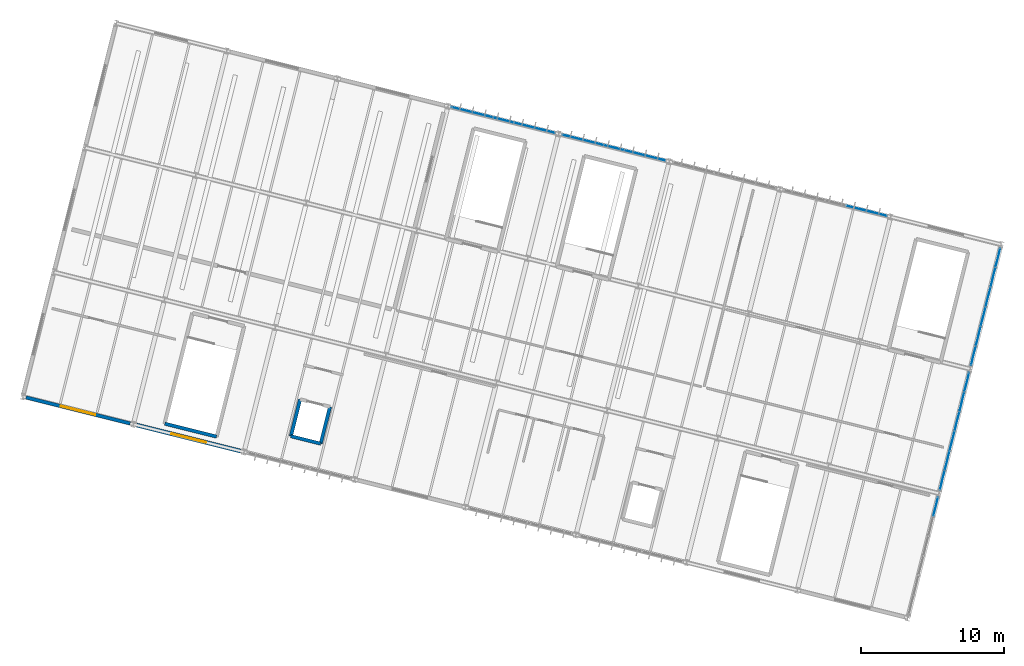
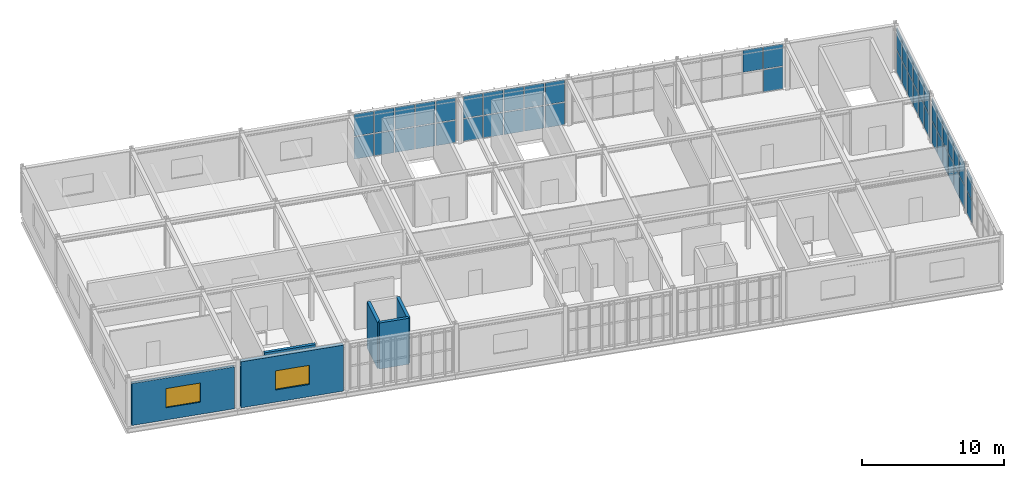
# One storey, part 22 of 30: 49 plates, 6 walls, 2 windows, 2 openings, 6 elements without a shape of their own.
"""IFC4 building model written with IfcOpenShell, lengths in metres."""

from ifc_helpers import new_model, si_unit, derived_unit, direction, frame, frame_2d, origin, origin_2d, place, context, subcontext, project, spatial, rectangle, extrude, material, layer, layer_set, type_object, element, fill, aggregate, save


model = new_model("IFC4")

# Units and contexts
model_context = context("Model", 3, precision=1e-05, world=origin(), true_north=direction((0.0, 1.0)))
body_context = subcontext(model_context, "Body", "Model", "MODEL_VIEW")
ifc_project = project(units=[si_unit("LENGTHUNIT", "METRE"), si_unit("AREAUNIT", "SQUARE_METRE"), si_unit("VOLUMEUNIT", "CUBIC_METRE"), si_unit("PLANEANGLEUNIT", "RADIAN"), si_unit("MASSUNIT", "GRAM", prefix="KILO"), si_unit("THERMODYNAMICTEMPERATUREUNIT", "KELVIN"), si_unit("TIMEUNIT", "SECOND"), derived_unit("THERMALTRANSMITTANCEUNIT", [(si_unit("MASSUNIT", "GRAM", prefix="KILO"), 1), (si_unit("THERMODYNAMICTEMPERATUREUNIT", "KELVIN"), -1), (si_unit("TIMEUNIT", "SECOND"), -3)])], contexts=[model_context])

# Site, building, storey
site_placement = place(None, origin())
site = spatial("IfcSite", under=ifc_project, at=site_placement, CompositionType="ELEMENT")
building_placement = place(site_placement, origin())
building = spatial("IfcBuilding", under=site, at=building_placement, Name="Cambertide Market Hall", CompositionType="ELEMENT")
storey_placement = place(building_placement, frame((0.0, 0.0, 14.10009765625)))
storey = spatial("IfcBuildingStorey", under=building, at=storey_placement, Name="L04", CompositionType="ELEMENT", Elevation=14.10009765625)

# Curtain wall, plates
ifc_material_1 = material(Name="Marine Anodized Aluminium 6063-T6 AA25", Category="aluminium")
curtain_wall_type_1 = type_object("IfcCurtainWallType", Name="Herb Conservatory Crown Curtain Wall", PredefinedType="USERDEFINED", material=ifc_material_1)
curtain_wall_1_placement = place(storey_placement, origin())
curtain_wall_1 = element("IfcCurtainWall", 1, at=curtain_wall_1_placement, inside=storey, type_object=curtain_wall_type_1, Name="Level 4 Curtain Wall CW-V4N-L04-4", ObjectType="UNITIZED CURTAIN WALL", PredefinedType="USERDEFINED")
ifc_material_2 = material(Name="Low-E Laminated Insulated Glass", Category="glass")
ifc_layer_1 = layer(ifc_material_2, 0.028076171875, Name="Vision Insulated Glazing Panel 28")
ifc_layer_set_1 = layer_set([ifc_layer_1], Name="Low-E Laminated Insulated Glass")
plate_type = type_object("IfcPlateType", Name="Vision Insulated Glazing Panel 28", PredefinedType="CURTAIN_PANEL", material=ifc_layer_set_1)
plate_1_placement = place(storey_placement, frame((138.794189453125, 120.13232421875, 0.0400390625), z_axis=(0.0, 0.0, 1.0), x_axis=(0.970142500145, -0.242535625038, 0.0)))
plate_1 = element("IfcPlate", 2, at=plate_1_placement, type_object=plate_type, Name="CW-V4N-L04-4 Glazing Panel 1-1", PredefinedType="CURTAIN_PANEL", context=body_context, shape_type="SweptSolid", body=[
    extrude(rectangle(XDim=1.424072265625, YDim=0.028076171875, at=origin_2d()), origin(), (0.0, 0.0, 1.0), 1.89990234375),
])
plate_2_placement = place(storey_placement, frame((140.25341796875, 119.767578125, 0.0400390625), z_axis=(0.0, 0.0, 1.0), x_axis=(0.970142500145, -0.242535625038, 0.0)))
plate_2 = element("IfcPlate", 3, at=plate_2_placement, type_object=plate_type, Name="CW-V4N-L04-4 Glazing Panel 1-2", PredefinedType="CURTAIN_PANEL", context=body_context, shape_type="SweptSolid", body=[
    extrude(rectangle(XDim=1.424072265625, YDim=0.028076171875, at=origin_2d()), origin(), (0.0, 0.0, 1.0), 1.89990234375),
])
plate_3_placement = place(storey_placement, frame((141.71240234375, 119.40283203125, 0.0400390625), z_axis=(0.0, 0.0, 1.0), x_axis=(0.970142500145, -0.242535625038, 0.0)))
plate_3 = element("IfcPlate", 4, at=plate_3_placement, type_object=plate_type, Name="CW-V4N-L04-4 Glazing Panel 1-3", PredefinedType="CURTAIN_PANEL", context=body_context, shape_type="SweptSolid", body=[
    extrude(rectangle(XDim=1.424072265625, YDim=0.028076171875, at=origin_2d()), origin(), (0.0, 0.0, 1.0), 1.89990234375),
])
plate_4_placement = place(storey_placement, frame((143.171630859375, 119.0380859375, 0.0400390625), z_axis=(0.0, 0.0, 1.0), x_axis=(0.970142500145, -0.242535625038, 0.0)))
plate_4 = element("IfcPlate", 5, at=plate_4_placement, type_object=plate_type, Name="CW-V4N-L04-4 Glazing Panel 1-4", PredefinedType="CURTAIN_PANEL", context=body_context, shape_type="SweptSolid", body=[
    extrude(rectangle(XDim=1.424072265625, YDim=0.028076171875, at=origin_2d()), origin(), (0.0, 0.0, 1.0), 1.89990234375),
])
plate_5_placement = place(storey_placement, frame((144.630615234375, 118.67333984375, 0.0400390625), z_axis=(0.0, 0.0, 1.0), x_axis=(0.970142500145, -0.242535625038, 0.0)))
plate_5 = element("IfcPlate", 6, at=plate_5_placement, type_object=plate_type, Name="CW-V4N-L04-4 Glazing Panel 1-5", PredefinedType="CURTAIN_PANEL", context=body_context, shape_type="SweptSolid", body=[
    extrude(rectangle(XDim=1.424072265625, YDim=0.028076171875, at=origin_2d()), origin(), (0.0, 0.0, 1.0), 1.89990234375),
])
plate_6_placement = place(storey_placement, frame((138.794189453125, 120.13232421875, 2.02001953125), z_axis=(0.0, 0.0, 1.0), x_axis=(0.970142500145, -0.242535625038, 0.0)))
plate_6 = element("IfcPlate", 7, at=plate_6_placement, type_object=plate_type, Name="CW-V4N-L04-4 Glazing Panel 2-1", PredefinedType="CURTAIN_PANEL", context=body_context, shape_type="SweptSolid", body=[
    extrude(rectangle(XDim=1.424072265625, YDim=0.028076171875, at=origin_2d()), origin(), (0.0, 0.0, 1.0), 1.89990234375),
])
plate_7_placement = place(storey_placement, frame((140.25341796875, 119.767578125, 2.02001953125), z_axis=(0.0, 0.0, 1.0), x_axis=(0.970142500145, -0.242535625038, 0.0)))
plate_7 = element("IfcPlate", 8, at=plate_7_placement, type_object=plate_type, Name="CW-V4N-L04-4 Glazing Panel 2-2", PredefinedType="CURTAIN_PANEL", context=body_context, shape_type="SweptSolid", body=[
    extrude(rectangle(XDim=1.424072265625, YDim=0.028076171875, at=origin_2d()), origin(), (0.0, 0.0, 1.0), 1.89990234375),
])
plate_8_placement = place(storey_placement, frame((141.71240234375, 119.40283203125, 2.02001953125), z_axis=(0.0, 0.0, 1.0), x_axis=(0.970142500145, -0.242535625038, 0.0)))
plate_8 = element("IfcPlate", 9, at=plate_8_placement, type_object=plate_type, Name="CW-V4N-L04-4 Glazing Panel 2-3", PredefinedType="CURTAIN_PANEL", context=body_context, shape_type="SweptSolid", body=[
    extrude(rectangle(XDim=1.424072265625, YDim=0.028076171875, at=origin_2d()), origin(), (0.0, 0.0, 1.0), 1.89990234375),
])
plate_9_placement = place(storey_placement, frame((143.171630859375, 119.0380859375, 2.02001953125), z_axis=(0.0, 0.0, 1.0), x_axis=(0.970142500145, -0.242535625038, 0.0)))
plate_9 = element("IfcPlate", 10, at=plate_9_placement, type_object=plate_type, Name="CW-V4N-L04-4 Glazing Panel 2-4", PredefinedType="CURTAIN_PANEL", context=body_context, shape_type="SweptSolid", body=[
    extrude(rectangle(XDim=1.424072265625, YDim=0.028076171875, at=origin_2d()), origin(), (0.0, 0.0, 1.0), 1.89990234375),
])
plate_10_placement = place(storey_placement, frame((144.630615234375, 118.67333984375, 2.02001953125), z_axis=(0.0, 0.0, 1.0), x_axis=(0.970142500145, -0.242535625038, 0.0)))
plate_10 = element("IfcPlate", 11, at=plate_10_placement, type_object=plate_type, Name="CW-V4N-L04-4 Glazing Panel 2-5", PredefinedType="CURTAIN_PANEL", context=body_context, shape_type="SweptSolid", body=[
    extrude(rectangle(XDim=1.424072265625, YDim=0.028076171875, at=origin_2d()), origin(), (0.0, 0.0, 1.0), 1.89990234375),
])
aggregate(curtain_wall_1, [plate_1, plate_2, plate_3, plate_4, plate_5, plate_6, plate_7, plate_8, plate_9, plate_10])

curtain_wall_2_placement = place(storey_placement, origin())
curtain_wall_2 = element("IfcCurtainWall", 12, at=curtain_wall_2_placement, inside=storey, type_object=curtain_wall_type_1, Name="Level 4 Curtain Wall CW-V4N-L04-5", ObjectType="UNITIZED CURTAIN WALL", PredefinedType="USERDEFINED")
plate_11_placement = place(storey_placement, frame((146.555419921875, 118.192138671875, 0.0400390625), z_axis=(0.0, 0.0, 1.0), x_axis=(0.970142500145, -0.242535625038, 0.0)))
plate_11 = element("IfcPlate", 13, at=plate_11_placement, type_object=plate_type, Name="CW-V4N-L04-5 Glazing Panel 1-1", PredefinedType="CURTAIN_PANEL", context=body_context, shape_type="SweptSolid", body=[
    extrude(rectangle(XDim=1.424072265625, YDim=0.028076171875, at=origin_2d()), origin(), (0.0, 0.0, 1.0), 1.89990234375),
])
plate_12_placement = place(storey_placement, frame((148.014404296875, 117.827392578125, 0.0400390625), z_axis=(0.0, 0.0, 1.0), x_axis=(0.970142500145, -0.242535625038, 0.0)))
plate_12 = element("IfcPlate", 14, at=plate_12_placement, type_object=plate_type, Name="CW-V4N-L04-5 Glazing Panel 1-2", PredefinedType="CURTAIN_PANEL", context=body_context, shape_type="SweptSolid", body=[
    extrude(rectangle(XDim=1.424072265625, YDim=0.028076171875, at=origin_2d()), origin(), (0.0, 0.0, 1.0), 1.89990234375),
])
plate_13_placement = place(storey_placement, frame((149.4736328125, 117.462646484375, 0.0400390625), z_axis=(0.0, 0.0, 1.0), x_axis=(0.970142500145, -0.242535625038, 0.0)))
plate_13 = element("IfcPlate", 15, at=plate_13_placement, type_object=plate_type, Name="CW-V4N-L04-5 Glazing Panel 1-3", PredefinedType="CURTAIN_PANEL", context=body_context, shape_type="SweptSolid", body=[
    extrude(rectangle(XDim=1.424072265625, YDim=0.028076171875, at=origin_2d()), origin(), (0.0, 0.0, 1.0), 1.89990234375),
])
plate_14_placement = place(storey_placement, frame((150.9326171875, 117.097900390625, 0.0400390625), z_axis=(0.0, 0.0, 1.0), x_axis=(0.970142500145, -0.242535625038, 0.0)))
plate_14 = element("IfcPlate", 16, at=plate_14_placement, type_object=plate_type, Name="CW-V4N-L04-5 Glazing Panel 1-4", PredefinedType="CURTAIN_PANEL", context=body_context, shape_type="SweptSolid", body=[
    extrude(rectangle(XDim=1.424072265625, YDim=0.028076171875, at=origin_2d()), origin(), (0.0, 0.0, 1.0), 1.89990234375),
])
plate_15_placement = place(storey_placement, frame((152.391845703125, 116.73291015625, 0.0400390625), z_axis=(0.0, 0.0, 1.0), x_axis=(0.970142500145, -0.242535625038, 0.0)))
plate_15 = element("IfcPlate", 17, at=plate_15_placement, type_object=plate_type, Name="CW-V4N-L04-5 Glazing Panel 1-5", PredefinedType="CURTAIN_PANEL", context=body_context, shape_type="SweptSolid", body=[
    extrude(rectangle(XDim=1.424072265625, YDim=0.028076171875, at=origin_2d()), origin(), (0.0, 0.0, 1.0), 1.89990234375),
])
plate_16_placement = place(storey_placement, frame((146.555419921875, 118.192138671875, 2.02001953125), z_axis=(0.0, 0.0, 1.0), x_axis=(0.970142500145, -0.242535625038, 0.0)))
plate_16 = element("IfcPlate", 18, at=plate_16_placement, type_object=plate_type, Name="CW-V4N-L04-5 Glazing Panel 2-1", PredefinedType="CURTAIN_PANEL", context=body_context, shape_type="SweptSolid", body=[
    extrude(rectangle(XDim=1.424072265625, YDim=0.028076171875, at=origin_2d()), origin(), (0.0, 0.0, 1.0), 1.89990234375),
])
plate_17_placement = place(storey_placement, frame((148.014404296875, 117.827392578125, 2.02001953125), z_axis=(0.0, 0.0, 1.0), x_axis=(0.970142500145, -0.242535625038, 0.0)))
plate_17 = element("IfcPlate", 19, at=plate_17_placement, type_object=plate_type, Name="CW-V4N-L04-5 Glazing Panel 2-2", PredefinedType="CURTAIN_PANEL", context=body_context, shape_type="SweptSolid", body=[
    extrude(rectangle(XDim=1.424072265625, YDim=0.028076171875, at=origin_2d()), origin(), (0.0, 0.0, 1.0), 1.89990234375),
])
plate_18_placement = place(storey_placement, frame((149.4736328125, 117.462646484375, 2.02001953125), z_axis=(0.0, 0.0, 1.0), x_axis=(0.970142500145, -0.242535625038, 0.0)))
plate_18 = element("IfcPlate", 20, at=plate_18_placement, type_object=plate_type, Name="CW-V4N-L04-5 Glazing Panel 2-3", PredefinedType="CURTAIN_PANEL", context=body_context, shape_type="SweptSolid", body=[
    extrude(rectangle(XDim=1.424072265625, YDim=0.028076171875, at=origin_2d()), origin(), (0.0, 0.0, 1.0), 1.89990234375),
])
plate_19_placement = place(storey_placement, frame((150.9326171875, 117.097900390625, 2.02001953125), z_axis=(0.0, 0.0, 1.0), x_axis=(0.970142500145, -0.242535625038, 0.0)))
plate_19 = element("IfcPlate", 21, at=plate_19_placement, type_object=plate_type, Name="CW-V4N-L04-5 Glazing Panel 2-4", PredefinedType="CURTAIN_PANEL", context=body_context, shape_type="SweptSolid", body=[
    extrude(rectangle(XDim=1.424072265625, YDim=0.028076171875, at=origin_2d()), origin(), (0.0, 0.0, 1.0), 1.89990234375),
])
plate_20_placement = place(storey_placement, frame((152.391845703125, 116.73291015625, 2.02001953125), z_axis=(0.0, 0.0, 1.0), x_axis=(0.970142500145, -0.242535625038, 0.0)))
plate_20 = element("IfcPlate", 22, at=plate_20_placement, type_object=plate_type, Name="CW-V4N-L04-5 Glazing Panel 2-5", PredefinedType="CURTAIN_PANEL", context=body_context, shape_type="SweptSolid", body=[
    extrude(rectangle(XDim=1.424072265625, YDim=0.028076171875, at=origin_2d()), origin(), (0.0, 0.0, 1.0), 1.89990234375),
])
aggregate(curtain_wall_2, [plate_11, plate_12, plate_13, plate_14, plate_15, plate_16, plate_17, plate_18, plate_19, plate_20])

curtain_wall_3_placement = place(storey_placement, origin())
curtain_wall_3 = element("IfcCurtainWall", 23, at=curtain_wall_3_placement, inside=storey, type_object=curtain_wall_type_1, Name="Level 4 Curtain Wall CW-V4N-L04-7", ObjectType="UNITIZED CURTAIN WALL", PredefinedType="USERDEFINED")
plate_21_placement = place(storey_placement, frame((167.9140625, 112.8525390625, 0.0400390625), z_axis=(0.0, 0.0, 1.0), x_axis=(0.970142500145, -0.242535625038, 0.0)))
plate_21 = element("IfcPlate", 24, at=plate_21_placement, type_object=plate_type, Name="CW-V4N-L04-7 Glazing Panel 1-5", PredefinedType="CURTAIN_PANEL", context=body_context, shape_type="SweptSolid", body=[
    extrude(rectangle(XDim=1.424072265625, YDim=0.028076171875, at=origin_2d()), origin(), (0.0, 0.0, 1.0), 1.89990234375),
])
plate_22_placement = place(storey_placement, frame((166.455078125, 113.21728515625, 2.02001953125), z_axis=(0.0, 0.0, 1.0), x_axis=(0.970142500145, -0.242535625038, 0.0)))
plate_22 = element("IfcPlate", 25, at=plate_22_placement, type_object=plate_type, Name="CW-V4N-L04-7 Glazing Panel 2-4", PredefinedType="CURTAIN_PANEL", context=body_context, shape_type="SweptSolid", body=[
    extrude(rectangle(XDim=1.424072265625, YDim=0.028076171875, at=origin_2d()), origin(), (0.0, 0.0, 1.0), 1.89990234375),
])
plate_23_placement = place(storey_placement, frame((167.9140625, 112.8525390625, 2.02001953125), z_axis=(0.0, 0.0, 1.0), x_axis=(0.970142500145, -0.242535625038, 0.0)))
plate_23 = element("IfcPlate", 26, at=plate_23_placement, type_object=plate_type, Name="CW-V4N-L04-7 Glazing Panel 2-5", PredefinedType="CURTAIN_PANEL", context=body_context, shape_type="SweptSolid", body=[
    extrude(rectangle(XDim=1.424072265625, YDim=0.028076171875, at=origin_2d()), origin(), (0.0, 0.0, 1.0), 1.89990234375),
])
aggregate(curtain_wall_3, [plate_21, plate_22, plate_23])

ifc_material_3 = material(Name="Marine Anodized Aluminium 6063-T6 AA25", Category="aluminium")
curtain_wall_type_2 = type_object("IfcCurtainWallType", Name="Cooking School Classroom Curtain Wall", PredefinedType="USERDEFINED", material=ifc_material_3)
curtain_wall_4_placement = place(storey_placement, origin())
curtain_wall_4 = element("IfcCurtainWall", 27, at=curtain_wall_4_placement, inside=storey, type_object=curtain_wall_type_2, Name="Level 4 Curtain Wall CW-V4E-L04-1", ObjectType="UNITIZED CURTAIN WALL", PredefinedType="USERDEFINED")
plate_24_placement = place(storey_placement, frame((172.04150390625, 92.287353515625, 0.0400390625), z_axis=(0.0, 0.0, 1.0), x_axis=(-0.242535569805, -0.970142513953, 0.0)))
plate_24 = element("IfcPlate", 28, at=plate_24_placement, type_object=plate_type, Name="CW-V4E-L04-1 Glazing Panel 1-1", PredefinedType="CURTAIN_PANEL", context=body_context, shape_type="SweptSolid", body=[
    extrude(rectangle(XDim=1.340087890625, YDim=0.028076171875, at=origin_2d()), origin(), (0.0, 0.0, 1.0), 1.89990234375),
])
plate_25_placement = place(storey_placement, frame((172.04150390625, 92.287353515625, 2.02001953125), z_axis=(0.0, 0.0, 1.0), x_axis=(-0.242535569805, -0.970142513953, 0.0)))
plate_25 = element("IfcPlate", 29, at=plate_25_placement, type_object=plate_type, Name="CW-V4E-L04-1 Glazing Panel 2-1", PredefinedType="CURTAIN_PANEL", context=body_context, shape_type="SweptSolid", body=[
    extrude(rectangle(XDim=1.340087890625, YDim=0.028076171875, at=origin_2d()), origin(), (0.0, 0.0, 1.0), 1.89990234375),
])
aggregate(curtain_wall_4, [plate_24, plate_25])

curtain_wall_5_placement = place(storey_placement, origin())
curtain_wall_5 = element("IfcCurtainWall", 30, at=curtain_wall_5_placement, inside=storey, type_object=curtain_wall_type_2, Name="Level 4 Curtain Wall CW-V4E-L04-2", ObjectType="UNITIZED CURTAIN WALL", PredefinedType="USERDEFINED")
plate_26_placement = place(storey_placement, frame((174.224365234375, 101.0185546875, 0.0400390625), z_axis=(0.0, 0.0, 1.0), x_axis=(-0.24253568027, -0.970142486337, 0.0)))
plate_26 = element("IfcPlate", 31, at=plate_26_placement, type_object=plate_type, Name="CW-V4E-L04-2 Glazing Panel 1-1", PredefinedType="CURTAIN_PANEL", context=body_context, shape_type="SweptSolid", body=[
    extrude(rectangle(XDim=1.340087890625, YDim=0.028076171875, at=origin_2d()), origin(), (0.0, 0.0, 1.0), 1.89990234375),
])
plate_27_placement = place(storey_placement, frame((173.8798828125, 99.64111328125, 0.0400390625), z_axis=(0.0, 0.0, 1.0), x_axis=(-0.24253568027, -0.970142486337, 0.0)))
plate_27 = element("IfcPlate", 32, at=plate_27_placement, type_object=plate_type, Name="CW-V4E-L04-2 Glazing Panel 1-2", PredefinedType="CURTAIN_PANEL", context=body_context, shape_type="SweptSolid", body=[
    extrude(rectangle(XDim=1.340087890625, YDim=0.028076171875, at=origin_2d()), origin(), (0.0, 0.0, 1.0), 1.89990234375),
])
plate_28_placement = place(storey_placement, frame((173.53564453125, 98.263427734375, 0.0400390625), z_axis=(0.0, 0.0, 1.0), x_axis=(-0.24253568027, -0.970142486337, 0.0)))
plate_28 = element("IfcPlate", 33, at=plate_28_placement, type_object=plate_type, Name="CW-V4E-L04-2 Glazing Panel 1-3", PredefinedType="CURTAIN_PANEL", context=body_context, shape_type="SweptSolid", body=[
    extrude(rectangle(XDim=1.340087890625, YDim=0.028076171875, at=origin_2d()), origin(), (0.0, 0.0, 1.0), 1.89990234375),
])
plate_29_placement = place(storey_placement, frame((173.191162109375, 96.8857421875, 0.0400390625), z_axis=(0.0, 0.0, 1.0), x_axis=(-0.24253568027, -0.970142486337, 0.0)))
plate_29 = element("IfcPlate", 34, at=plate_29_placement, type_object=plate_type, Name="CW-V4E-L04-2 Glazing Panel 1-4", PredefinedType="CURTAIN_PANEL", context=body_context, shape_type="SweptSolid", body=[
    extrude(rectangle(XDim=1.340087890625, YDim=0.028076171875, at=origin_2d()), origin(), (0.0, 0.0, 1.0), 1.89990234375),
])
plate_30_placement = place(storey_placement, frame((172.8466796875, 95.50830078125, 0.0400390625), z_axis=(0.0, 0.0, 1.0), x_axis=(-0.24253568027, -0.970142486337, 0.0)))
plate_30 = element("IfcPlate", 35, at=plate_30_placement, type_object=plate_type, Name="CW-V4E-L04-2 Glazing Panel 1-5", PredefinedType="CURTAIN_PANEL", context=body_context, shape_type="SweptSolid", body=[
    extrude(rectangle(XDim=1.340087890625, YDim=0.028076171875, at=origin_2d()), origin(), (0.0, 0.0, 1.0), 1.89990234375),
])
plate_31_placement = place(storey_placement, frame((172.50244140625, 94.130615234375, 0.0400390625), z_axis=(0.0, 0.0, 1.0), x_axis=(-0.24253568027, -0.970142486337, 0.0)))
plate_31 = element("IfcPlate", 36, at=plate_31_placement, type_object=plate_type, Name="CW-V4E-L04-2 Glazing Panel 1-6", PredefinedType="CURTAIN_PANEL", context=body_context, shape_type="SweptSolid", body=[
    extrude(rectangle(XDim=1.340087890625, YDim=0.028076171875, at=origin_2d()), origin(), (0.0, 0.0, 1.0), 1.89990234375),
])
plate_32_placement = place(storey_placement, frame((174.224365234375, 101.0185546875, 2.02001953125), z_axis=(0.0, 0.0, 1.0), x_axis=(-0.24253568027, -0.970142486337, 0.0)))
plate_32 = element("IfcPlate", 37, at=plate_32_placement, type_object=plate_type, Name="CW-V4E-L04-2 Glazing Panel 2-1", PredefinedType="CURTAIN_PANEL", context=body_context, shape_type="SweptSolid", body=[
    extrude(rectangle(XDim=1.340087890625, YDim=0.028076171875, at=origin_2d()), origin(), (0.0, 0.0, 1.0), 1.89990234375),
])
plate_33_placement = place(storey_placement, frame((173.8798828125, 99.64111328125, 2.02001953125), z_axis=(0.0, 0.0, 1.0), x_axis=(-0.24253568027, -0.970142486337, 0.0)))
plate_33 = element("IfcPlate", 38, at=plate_33_placement, type_object=plate_type, Name="CW-V4E-L04-2 Glazing Panel 2-2", PredefinedType="CURTAIN_PANEL", context=body_context, shape_type="SweptSolid", body=[
    extrude(rectangle(XDim=1.340087890625, YDim=0.028076171875, at=origin_2d()), origin(), (0.0, 0.0, 1.0), 1.89990234375),
])
plate_34_placement = place(storey_placement, frame((173.53564453125, 98.263427734375, 2.02001953125), z_axis=(0.0, 0.0, 1.0), x_axis=(-0.24253568027, -0.970142486337, 0.0)))
plate_34 = element("IfcPlate", 39, at=plate_34_placement, type_object=plate_type, Name="CW-V4E-L04-2 Glazing Panel 2-3", PredefinedType="CURTAIN_PANEL", context=body_context, shape_type="SweptSolid", body=[
    extrude(rectangle(XDim=1.340087890625, YDim=0.028076171875, at=origin_2d()), origin(), (0.0, 0.0, 1.0), 1.89990234375),
])
plate_35_placement = place(storey_placement, frame((173.191162109375, 96.8857421875, 2.02001953125), z_axis=(0.0, 0.0, 1.0), x_axis=(-0.24253568027, -0.970142486337, 0.0)))
plate_35 = element("IfcPlate", 40, at=plate_35_placement, type_object=plate_type, Name="CW-V4E-L04-2 Glazing Panel 2-4", PredefinedType="CURTAIN_PANEL", context=body_context, shape_type="SweptSolid", body=[
    extrude(rectangle(XDim=1.340087890625, YDim=0.028076171875, at=origin_2d()), origin(), (0.0, 0.0, 1.0), 1.89990234375),
])
plate_36_placement = place(storey_placement, frame((172.8466796875, 95.50830078125, 2.02001953125), z_axis=(0.0, 0.0, 1.0), x_axis=(-0.24253568027, -0.970142486337, 0.0)))
plate_36 = element("IfcPlate", 41, at=plate_36_placement, type_object=plate_type, Name="CW-V4E-L04-2 Glazing Panel 2-5", PredefinedType="CURTAIN_PANEL", context=body_context, shape_type="SweptSolid", body=[
    extrude(rectangle(XDim=1.340087890625, YDim=0.028076171875, at=origin_2d()), origin(), (0.0, 0.0, 1.0), 1.89990234375),
])
plate_37_placement = place(storey_placement, frame((172.50244140625, 94.130615234375, 2.02001953125), z_axis=(0.0, 0.0, 1.0), x_axis=(-0.24253568027, -0.970142486337, 0.0)))
plate_37 = element("IfcPlate", 42, at=plate_37_placement, type_object=plate_type, Name="CW-V4E-L04-2 Glazing Panel 2-6", PredefinedType="CURTAIN_PANEL", context=body_context, shape_type="SweptSolid", body=[
    extrude(rectangle(XDim=1.340087890625, YDim=0.028076171875, at=origin_2d()), origin(), (0.0, 0.0, 1.0), 1.89990234375),
])
aggregate(curtain_wall_5, [plate_26, plate_27, plate_28, plate_29, plate_30, plate_31, plate_32, plate_33, plate_34, plate_35, plate_36, plate_37])

curtain_wall_6_placement = place(storey_placement, origin())
curtain_wall_6 = element("IfcCurtainWall", 43, at=curtain_wall_6_placement, inside=storey, type_object=curtain_wall_type_2, Name="Level 4 Curtain Wall CW-V4E-L04-3", ObjectType="UNITIZED CURTAIN WALL", PredefinedType="USERDEFINED")
plate_38_placement = place(storey_placement, frame((176.4072265625, 109.75, 0.0400390625), z_axis=(0.0, 0.0, 1.0), x_axis=(-0.242535569805, -0.970142513953, 0.0)))
plate_38 = element("IfcPlate", 44, at=plate_38_placement, type_object=plate_type, Name="CW-V4E-L04-3 Glazing Panel 1-1", PredefinedType="CURTAIN_PANEL", context=body_context, shape_type="SweptSolid", body=[
    extrude(rectangle(XDim=1.340087890625, YDim=0.028076171875, at=origin_2d()), origin(), (0.0, 0.0, 1.0), 1.89990234375),
])
plate_39_placement = place(storey_placement, frame((176.062744140625, 108.372314453125, 0.0400390625), z_axis=(0.0, 0.0, 1.0), x_axis=(-0.242535569805, -0.970142513953, 0.0)))
plate_39 = element("IfcPlate", 45, at=plate_39_placement, type_object=plate_type, Name="CW-V4E-L04-3 Glazing Panel 1-2", PredefinedType="CURTAIN_PANEL", context=body_context, shape_type="SweptSolid", body=[
    extrude(rectangle(XDim=1.340087890625, YDim=0.028076171875, at=origin_2d()), origin(), (0.0, 0.0, 1.0), 1.89990234375),
])
plate_40_placement = place(storey_placement, frame((175.71826171875, 106.99462890625, 0.0400390625), z_axis=(0.0, 0.0, 1.0), x_axis=(-0.242535569805, -0.970142513953, 0.0)))
plate_40 = element("IfcPlate", 46, at=plate_40_placement, type_object=plate_type, Name="CW-V4E-L04-3 Glazing Panel 1-3", PredefinedType="CURTAIN_PANEL", context=body_context, shape_type="SweptSolid", body=[
    extrude(rectangle(XDim=1.340087890625, YDim=0.028076171875, at=origin_2d()), origin(), (0.0, 0.0, 1.0), 1.89990234375),
])
plate_41_placement = place(storey_placement, frame((175.3740234375, 105.6171875, 0.0400390625), z_axis=(0.0, 0.0, 1.0), x_axis=(-0.242535569805, -0.970142513953, 0.0)))
plate_41 = element("IfcPlate", 47, at=plate_41_placement, type_object=plate_type, Name="CW-V4E-L04-3 Glazing Panel 1-4", PredefinedType="CURTAIN_PANEL", context=body_context, shape_type="SweptSolid", body=[
    extrude(rectangle(XDim=1.340087890625, YDim=0.028076171875, at=origin_2d()), origin(), (0.0, 0.0, 1.0), 1.89990234375),
])
plate_42_placement = place(storey_placement, frame((175.029541015625, 104.239501953125, 0.0400390625), z_axis=(0.0, 0.0, 1.0), x_axis=(-0.242535569805, -0.970142513953, 0.0)))
plate_42 = element("IfcPlate", 48, at=plate_42_placement, type_object=plate_type, Name="CW-V4E-L04-3 Glazing Panel 1-5", PredefinedType="CURTAIN_PANEL", context=body_context, shape_type="SweptSolid", body=[
    extrude(rectangle(XDim=1.340087890625, YDim=0.028076171875, at=origin_2d()), origin(), (0.0, 0.0, 1.0), 1.89990234375),
])
plate_43_placement = place(storey_placement, frame((174.68505859375, 102.86181640625, 0.0400390625), z_axis=(0.0, 0.0, 1.0), x_axis=(-0.242535569805, -0.970142513953, 0.0)))
plate_43 = element("IfcPlate", 49, at=plate_43_placement, type_object=plate_type, Name="CW-V4E-L04-3 Glazing Panel 1-6", PredefinedType="CURTAIN_PANEL", context=body_context, shape_type="SweptSolid", body=[
    extrude(rectangle(XDim=1.340087890625, YDim=0.028076171875, at=origin_2d()), origin(), (0.0, 0.0, 1.0), 1.89990234375),
])
plate_44_placement = place(storey_placement, frame((176.4072265625, 109.75, 2.02001953125), z_axis=(0.0, 0.0, 1.0), x_axis=(-0.242535569805, -0.970142513953, 0.0)))
plate_44 = element("IfcPlate", 50, at=plate_44_placement, type_object=plate_type, Name="CW-V4E-L04-3 Glazing Panel 2-1", PredefinedType="CURTAIN_PANEL", context=body_context, shape_type="SweptSolid", body=[
    extrude(rectangle(XDim=1.340087890625, YDim=0.028076171875, at=origin_2d()), origin(), (0.0, 0.0, 1.0), 1.89990234375),
])
plate_45_placement = place(storey_placement, frame((176.062744140625, 108.372314453125, 2.02001953125), z_axis=(0.0, 0.0, 1.0), x_axis=(-0.242535569805, -0.970142513953, 0.0)))
plate_45 = element("IfcPlate", 51, at=plate_45_placement, type_object=plate_type, Name="CW-V4E-L04-3 Glazing Panel 2-2", PredefinedType="CURTAIN_PANEL", context=body_context, shape_type="SweptSolid", body=[
    extrude(rectangle(XDim=1.340087890625, YDim=0.028076171875, at=origin_2d()), origin(), (0.0, 0.0, 1.0), 1.89990234375),
])
plate_46_placement = place(storey_placement, frame((175.71826171875, 106.99462890625, 2.02001953125), z_axis=(0.0, 0.0, 1.0), x_axis=(-0.242535569805, -0.970142513953, 0.0)))
plate_46 = element("IfcPlate", 52, at=plate_46_placement, type_object=plate_type, Name="CW-V4E-L04-3 Glazing Panel 2-3", PredefinedType="CURTAIN_PANEL", context=body_context, shape_type="SweptSolid", body=[
    extrude(rectangle(XDim=1.340087890625, YDim=0.028076171875, at=origin_2d()), origin(), (0.0, 0.0, 1.0), 1.89990234375),
])
plate_47_placement = place(storey_placement, frame((175.3740234375, 105.6171875, 2.02001953125), z_axis=(0.0, 0.0, 1.0), x_axis=(-0.242535569805, -0.970142513953, 0.0)))
plate_47 = element("IfcPlate", 53, at=plate_47_placement, type_object=plate_type, Name="CW-V4E-L04-3 Glazing Panel 2-4", PredefinedType="CURTAIN_PANEL", context=body_context, shape_type="SweptSolid", body=[
    extrude(rectangle(XDim=1.340087890625, YDim=0.028076171875, at=origin_2d()), origin(), (0.0, 0.0, 1.0), 1.89990234375),
])
plate_48_placement = place(storey_placement, frame((175.029541015625, 104.239501953125, 2.02001953125), z_axis=(0.0, 0.0, 1.0), x_axis=(-0.242535569805, -0.970142513953, 0.0)))
plate_48 = element("IfcPlate", 54, at=plate_48_placement, type_object=plate_type, Name="CW-V4E-L04-3 Glazing Panel 2-5", PredefinedType="CURTAIN_PANEL", context=body_context, shape_type="SweptSolid", body=[
    extrude(rectangle(XDim=1.340087890625, YDim=0.028076171875, at=origin_2d()), origin(), (0.0, 0.0, 1.0), 1.89990234375),
])
plate_49_placement = place(storey_placement, frame((174.68505859375, 102.86181640625, 2.02001953125), z_axis=(0.0, 0.0, 1.0), x_axis=(-0.242535569805, -0.970142513953, 0.0)))
plate_49 = element("IfcPlate", 55, at=plate_49_placement, type_object=plate_type, Name="CW-V4E-L04-3 Glazing Panel 2-6", PredefinedType="CURTAIN_PANEL", context=body_context, shape_type="SweptSolid", body=[
    extrude(rectangle(XDim=1.340087890625, YDim=0.028076171875, at=origin_2d()), origin(), (0.0, 0.0, 1.0), 1.89990234375),
])
aggregate(curtain_wall_6, [plate_38, plate_39, plate_40, plate_41, plate_42, plate_43, plate_44, plate_45, plate_46, plate_47, plate_48, plate_49])

# Wall, opening, window
ifc_material_4 = material(Name="Autoclaved Aerated Concrete Blockwork M7.5", Category="masonry")
ifc_layer_2 = layer(ifc_material_4, 0.25, Name="Insulated AAC Exterior Infill Wall 250")
ifc_layer_set_2 = layer_set([ifc_layer_2], Name="Autoclaved Aerated Concrete Blockwork M7.5")
wall_type_1 = type_object("IfcWallType", Name="Insulated AAC Exterior Infill Wall 250", PredefinedType="SOLIDWALL", material=ifc_layer_set_2)
wall_1_placement = place(storey_placement, frame((115.5283203125, 98.117919921875, 0.0), z_axis=(0.0, 0.0, 1.0), x_axis=(-0.970138680536, 0.242550902961, 0.0)))
wall_1 = element("IfcWall", 56, at=wall_1_placement, inside=storey, type_object=wall_type_1, Name="Level 4 Exterior Wall EW-L04-V4S-1", PredefinedType="SOLIDWALL", context=body_context, shape_type="SweptSolid", body=[
    extrude(rectangle(XDim=7.52001953125, YDim=0.25, at=frame_2d((3.760009765625, 0.0))), origin(), (0.0, 0.0, 1.0), 3.60986328125),
])
opening_1_placement = place(wall_1_placement, frame((2.510009765625, 0.0, 1.050048828125)))
opening_1 = element("IfcOpeningElement", 57, at=opening_1_placement, cuts=wall_1, Name="Opening WN-09", PredefinedType="OPENING", context=body_context, shape_type="SweptSolid", body=[
    extrude(rectangle(XDim=2.5, YDim=1.64990234375, at=frame_2d((1.25, 0.824951171875))), frame((0.0, 0.135009765625, 0.0), z_axis=(0.0, -1.0, 0.0), x_axis=(1.0, 0.0, 0.0)), (0.0, 0.0, 1.0), 0.27001953125),
])
ifc_material_5 = material(Name="Low-E Laminated Insulated Glass", Category="glass")
window_type = type_object("IfcWindowType", Name="Market Admin Office Window 2500x1650", PartitioningType="SINGLE_PANEL", PredefinedType="WINDOW", material=ifc_material_5)
window_1_placement = place(opening_1_placement, origin())
window_1 = element("IfcWindow", 58, at=window_1_placement, inside=storey, type_object=window_type, Name="Level 4 Window EW-L04-V4S-1-WN", OverallHeight=1.64990234375, OverallWidth=2.5, PartitioningType="SINGLE_PANEL", PredefinedType="WINDOW", context=body_context, shape_type="SweptSolid", body=[
    extrude(rectangle(XDim=2.5, YDim=1.64990234375, at=frame_2d((1.25, 0.824951171875))), frame((0.0, 0.030029296875, 0.0), z_axis=(0.0, -1.0, 0.0), x_axis=(1.0, 0.0, 0.0)), (0.0, 0.0, 1.0), 0.06005859375),
])
fill(opening_1, window_1)

# Walls
ifc_material_6 = material(Name="Concrete B35", Category="concrete")
ifc_layer_3 = layer(ifc_material_6, 0.239990234375, Name="Stair & Lift Core Shaft Wall 240")
ifc_layer_set_3 = layer_set([ifc_layer_3], Name="Concrete B35")
wall_type_2 = type_object("IfcWallType", Name="Stair & Lift Core Shaft Wall 240", PredefinedType="SOLIDWALL", material=ifc_layer_set_3)
wall_2_placement = place(storey_placement, frame((121.60009765625, 97.192626953125, 0.0), z_axis=(0.0, 0.0, 1.0), x_axis=(-0.970131009923, 0.242581581301, 0.0)))
element("IfcWall", 59, at=wall_2_placement, inside=storey, type_object=wall_type_2, Name="Level 4 Interior Wall SHW-ST-07A-L04-FAR", PredefinedType="SOLIDWALL", context=body_context, shape_type="SweptSolid", body=[
    extrude(rectangle(XDim=3.75, YDim=0.239990234375, at=frame_2d((1.875, 0.0))), origin(), (0.0, 0.0, 1.0), 3.9599609375),
])
wall_3_placement = place(storey_placement, frame((128.904052734375, 96.701416015625, 0.0), z_axis=(0.0, 0.0, 1.0), x_axis=(-0.970135850962, 0.242562220222, 0.0)))
element("IfcWall", 60, at=wall_3_placement, inside=storey, type_object=wall_type_2, Name="Level 4 Interior Wall LSH-LP-03-L04-S", PredefinedType="SOLIDWALL", context=body_context, shape_type="SweptSolid", body=[
    extrude(rectangle(XDim=2.159912109375, YDim=0.239990234375, at=frame_2d((1.080078125, 0.0))), origin(), (0.0, 0.0, 1.0), 3.9599609375),
])
for number, where, z_axis, x_axis, name in (
    (61, (126.80859375, 97.225341796875, 0.0), (0.0, 0.0, 1.0), (0.242578816146, 0.970131701346, 0.0), "Level 4 Interior Wall LSH-LP-03-L04-W"),
    (62, (129.54931640625, 99.281982421875, 0.0), (0.0, 0.0, 1.0), (-0.242578816146, -0.970131701346, 0.0), "Level 4 Interior Wall LSH-LP-03-L04-E"),
):
    element("IfcWall", number, at=place(storey_placement, frame(where, z_axis=z_axis, x_axis=x_axis)), inside=storey, type_object=wall_type_2, Name=name, PredefinedType="SOLIDWALL", context=body_context, shape_type="SweptSolid", body=[
        extrude(rectangle(XDim=2.659912109375, YDim=0.239990234375, at=frame_2d((1.330078125, 0.0))), origin(), (0.0, 0.0, 1.0), 3.9599609375),
    ])

# Wall, opening, window
ifc_material_7 = material(Name="Concrete B35", Category="concrete")
ifc_layer_4 = layer(ifc_material_7, 0.300048828125, Name="Structural Facade Shear Wall 300")
ifc_layer_set_4 = layer_set([ifc_layer_4], Name="Concrete B35")
wall_type_3 = type_object("IfcWallType", Name="Structural Facade Shear Wall 300", PredefinedType="SHEAR", material=ifc_layer_set_4)
wall_4_placement = place(storey_placement, frame((123.28955078125, 96.177734375, 0.0), z_axis=(0.0, 0.0, 1.0), x_axis=(-0.970148228972, 0.242512708578, 0.0)))
wall_4 = element("IfcWall", 63, at=wall_4_placement, inside=storey, type_object=wall_type_3, Name="Level 4 Exterior Wall EW-L04-V4S-2", PredefinedType="SHEAR", context=body_context, shape_type="SweptSolid", body=[
    extrude(rectangle(XDim=7.520263671875, YDim=0.300048828125, at=frame_2d((3.76025390625, 0.0))), origin(), (0.0, 0.0, 1.0), 3.9599609375),
])
opening_2_placement = place(wall_4_placement, frame((2.510009765625, 0.0, 1.050048828125)))
opening_2 = element("IfcOpeningElement", 64, at=opening_2_placement, cuts=wall_4, Name="Opening WN-09", PredefinedType="OPENING", context=body_context, shape_type="SweptSolid", body=[
    extrude(rectangle(XDim=2.5, YDim=1.64990234375, at=frame_2d((1.25, 0.824951171875))), frame((0.0, 0.159912109375, 0.0), z_axis=(0.0, -1.0, 0.0), x_axis=(1.0, 0.0, 0.0)), (0.0, 0.0, 1.0), 0.320068359375),
])
window_2_placement = place(opening_2_placement, origin())
window_2 = element("IfcWindow", 65, at=window_2_placement, inside=storey, type_object=window_type, Name="Level 4 Window EW-L04-V4S-2-WN", OverallHeight=1.64990234375, OverallWidth=2.5, PartitioningType="SINGLE_PANEL", PredefinedType="WINDOW", context=body_context, shape_type="SweptSolid", body=[
    extrude(rectangle(XDim=2.5, YDim=1.64990234375, at=frame_2d((1.25, 0.824951171875))), frame((0.0, 0.030029296875, 0.0), z_axis=(0.0, -1.0, 0.0), x_axis=(1.0, 0.0, 0.0)), (0.0, 0.0, 1.0), 0.06005859375),
])
fill(opening_2, window_2)

save(model, "model.ifc")
